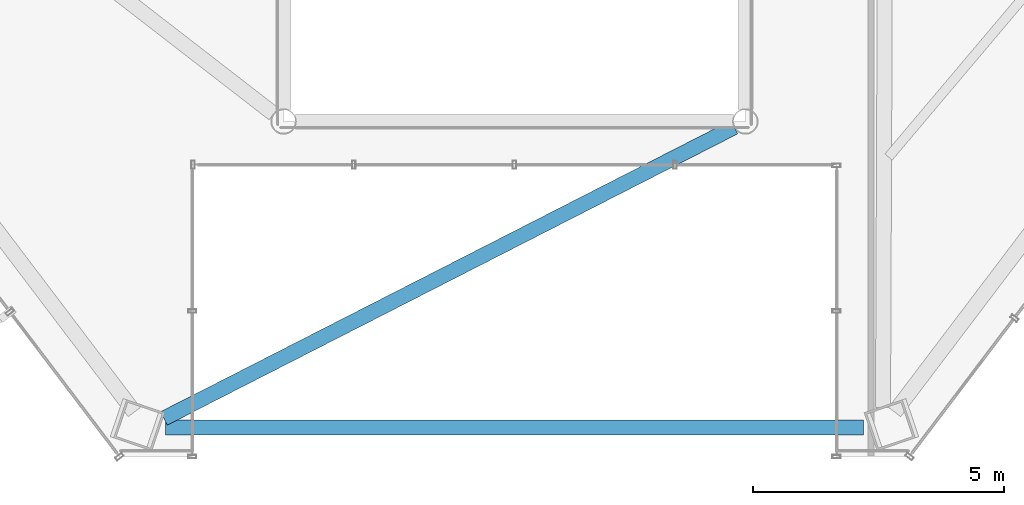
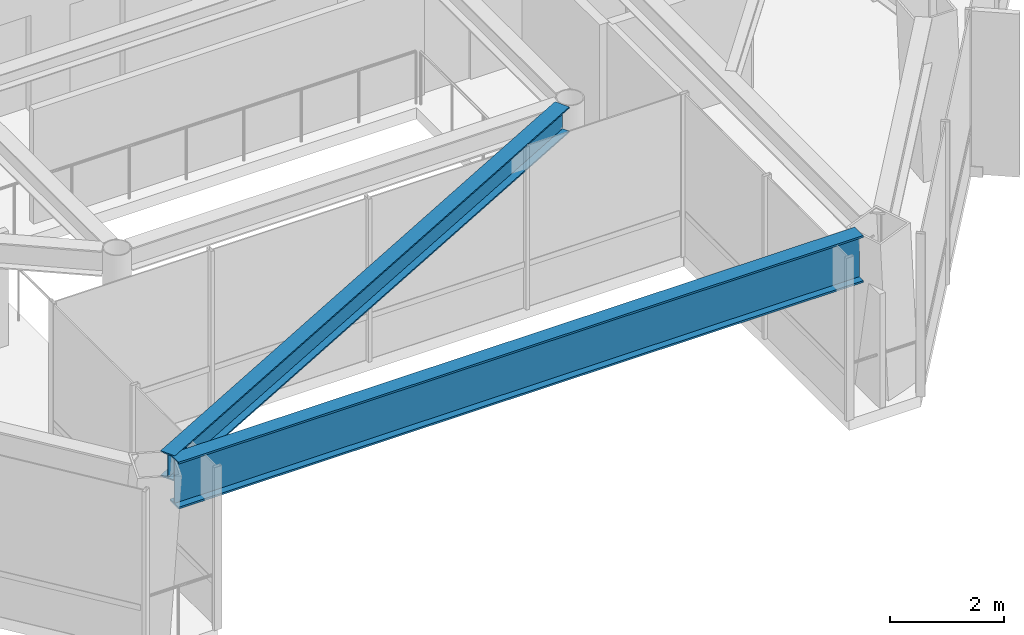
# One storey, part 7 of 30: 2 beams.
"""IFC4 building model written with IfcOpenShell, lengths in metres."""

from ifc_helpers import new_model, si_unit, direction, frame, origin, origin_2d, place, context, subcontext, project, spatial, i_section, extrude, material, material_profile, profile_set, type_object, element, save


model = new_model("IFC4")

# Units and contexts
model_context = context("Model", 3, precision=1e-05, world=origin(), true_north=direction((0.0, 1.0)))
body_context = subcontext(model_context, "Body", "Model", "MODEL_VIEW")
ifc_project = project(units=[si_unit("LENGTHUNIT", "METRE"), si_unit("AREAUNIT", "SQUARE_METRE"), si_unit("VOLUMEUNIT", "CUBIC_METRE"), si_unit("PLANEANGLEUNIT", "RADIAN"), si_unit("MASSUNIT", "GRAM", prefix="KILO")], contexts=[model_context])

# Site, building, storey
site_placement = place(None, origin())
site = spatial("IfcSite", under=ifc_project, at=site_placement, CompositionType="ELEMENT")
building_placement = place(site_placement, origin())
building = spatial("IfcBuilding", under=site, at=building_placement, Name="Zarrinselat Tower", CompositionType="ELEMENT")
storey_placement = place(building_placement, frame((0.0, 0.0, 160.820068359375)))
storey = spatial("IfcBuildingStorey", under=building, at=storey_placement, Name="L39", CompositionType="ELEMENT", Elevation=160.820068359375)

# Beams
ifc_material_1 = material(Name="Steel S355J2", Category="steel")
ifc_material_profile_1 = material_profile(ifc_material_1, i_section(OverallWidth=0.300048828125, OverallDepth=0.550048828125, WebThickness=0.014892578125, FlangeThickness=0.029052734375, at=origin_2d()), Name="HEB 550")
ifc_profile_set_1 = profile_set([ifc_material_profile_1], Name="Steel S355J2")
beam_type_1 = type_object("IfcBeamType", Name="BM-HEB550", PredefinedType="BEAM", material=ifc_profile_set_1)
beam_1_placement = place(storey_placement, frame((31.418701171875, 18.486083984375, 3.224853515625), z_axis=(0.890600975867, 0.454785555823, 0.0), x_axis=(-0.454785555823, 0.890600975867, 0.0)))
element("IfcBeam", 1, at=beam_1_placement, inside=storey, type_object=beam_type_1, Name="L39 Radial Primary Girder RG10", PredefinedType="BEAM", context=body_context, shape_type="SweptSolid", body=[
    extrude(i_section(OverallWidth=0.300048828125, OverallDepth=0.550048828125, WebThickness=0.014892578125, FlangeThickness=0.029052734375, at=origin_2d()), origin(), (0.0, 0.0, 1.0), 12.75390625),
])
ifc_material_2 = material(Name="Steel S460M", Category="steel")
ifc_material_profile_2 = material_profile(ifc_material_2, i_section(OverallWidth=0.302001953125, OverallDepth=1.008056640625, WebThickness=0.02099609375, FlangeThickness=0.0400390625, at=origin_2d()), Name="HEM 1000")
ifc_profile_set_2 = profile_set([ifc_material_profile_2], Name="Steel S460M")
beam_type_2 = type_object("IfcBeamType", Name="BM-HEM1000", PredefinedType="BEAM", material=ifc_profile_set_2)
beam_2_placement = place(storey_placement, frame((31.448486328125, 18.30322265625, 2.995849609375), z_axis=(1.0, 0.0, 0.0), x_axis=(0.0, 1.0, 0.0)))
element("IfcBeam", 2, at=beam_2_placement, inside=storey, type_object=beam_type_2, Name="L39 Perimeter Spandrel Girder SP10", PredefinedType="BEAM", context=body_context, shape_type="SweptSolid", body=[
    extrude(i_section(OverallWidth=0.302001953125, OverallDepth=1.008056640625, WebThickness=0.02099609375, FlangeThickness=0.0400390625, at=origin_2d()), origin(), (0.0, 0.0, 1.0), 13.90283203125),
])

save(model, "model.ifc")
